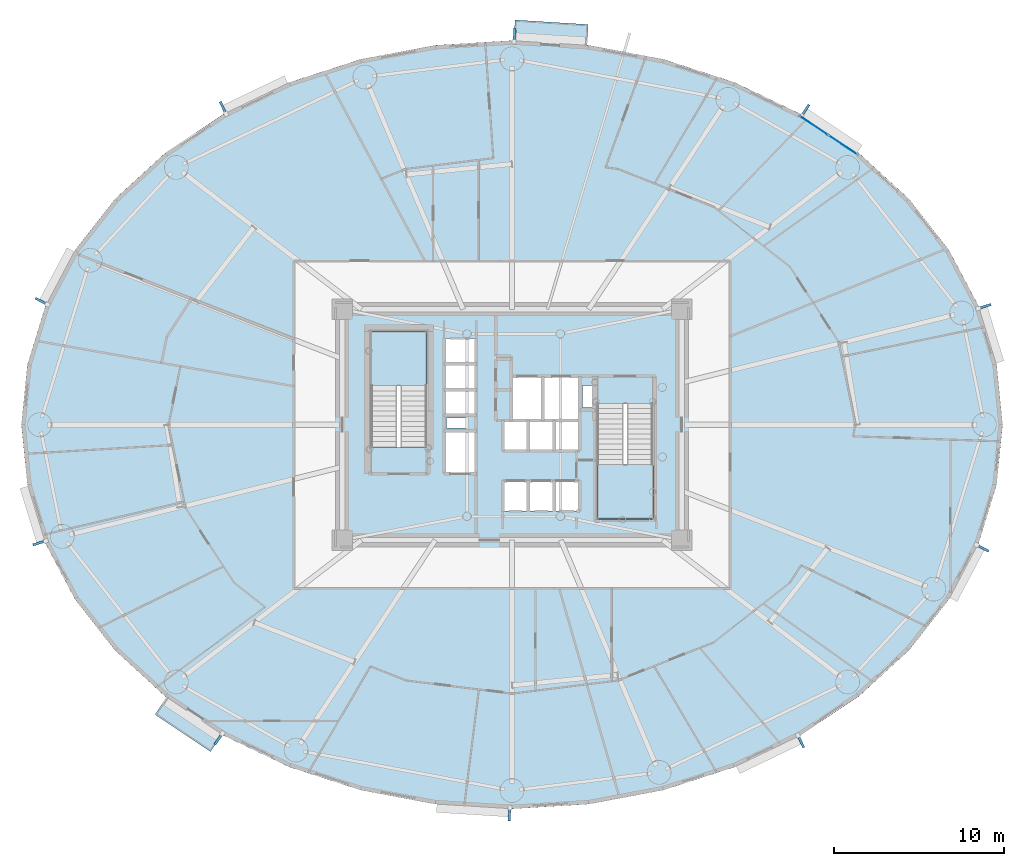
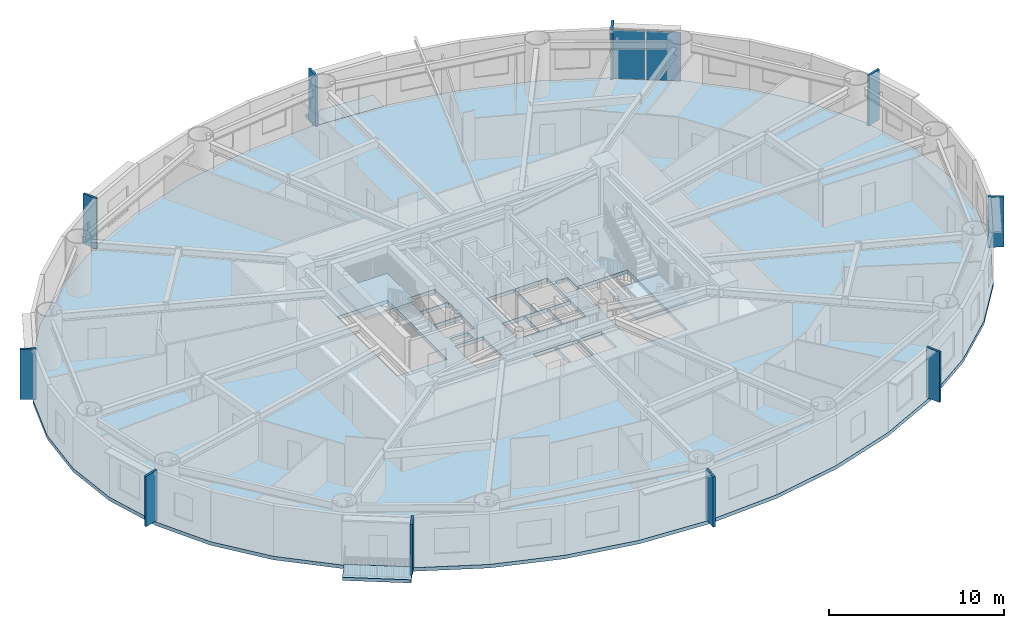
# One storey, part 8 of 22: 12 plates, 5 slabs, 3 elements without a shape of their own.
"""IFC4 building model written with IfcOpenShell, lengths in metres."""

from ifc_helpers import new_model, si_unit, direction, frame, origin, origin_2d, place, context, subcontext, project, spatial, polyline, rectangle, outline, extrude, source, transform, mapped, material, layer, layer_set, type_object, element, aggregate, save


model = new_model("IFC4")

# Units and contexts
model_context = context("Model", 3, precision=1e-05, world=origin(), true_north=direction((0.0, 1.0)))
body_context = subcontext(model_context, "Body", "Model", "MODEL_VIEW")
ifc_project = project(units=[si_unit("LENGTHUNIT", "METRE"), si_unit("AREAUNIT", "SQUARE_METRE"), si_unit("VOLUMEUNIT", "CUBIC_METRE"), si_unit("PLANEANGLEUNIT", "RADIAN"), si_unit("MASSUNIT", "GRAM", prefix="KILO")], contexts=[model_context])

# Site, building, storey
site_placement = place(None, origin())
site = spatial("IfcSite", under=ifc_project, at=site_placement, CompositionType="ELEMENT")
building_placement = place(site_placement, origin())
building = spatial("IfcBuilding", under=site, at=building_placement, Name="Linh Dai School and Residence Tower", CompositionType="ELEMENT")
storey_placement = place(building_placement, frame((0.0, 0.0, 130.949951171875)))
storey = spatial("IfcBuildingStorey", under=building, at=storey_placement, Name="L31", CompositionType="ELEMENT", Elevation=130.949951171875)

# Slabs
ifc_material_1 = material(Name="Concrete B45 (C35/45)", Category="concrete")
ifc_layer_1 = layer(ifc_material_1, 0.219970703125)
ifc_layer_set_1 = layer_set([ifc_layer_1], Name="Concrete B45 (C35/45)")
slab_type_1 = type_object("IfcSlabType", Name="SLB-BALC-220", PredefinedType="FLOOR", material=ifc_layer_set_1)
slab_1_placement = place(storey_placement, frame((0.0, 0.0, -0.219970703125)))
element("IfcSlab", 1, at=slab_1_placement, inside=storey, type_object=slab_type_1, Name="L31 Sliding Balcony Slab 10", PredefinedType="FLOOR", context=body_context, shape_type="SweptSolid", body=[
    extrude(outline(polyline([(36.1025390625, 49.543701171875), (40.408447265625, 49.2783203125), (40.488525390625, 50.575927734375), (36.1826171875, 50.84130859375), (36.1025390625, 49.543701171875)])), origin(), (0.0, 0.0, 1.0), 0.219970703125),
])
slab_2_placement = place(storey_placement, frame((0.0, 0.0, -0.219970703125)))
element("IfcSlab", 2, at=slab_2_placement, inside=storey, type_object=slab_type_1, Name="L31 Sliding Balcony Slab 26", PredefinedType="FLOOR", context=body_context, shape_type="SweptSolid", body=[
    extrude(outline(polyline([(18.966796875, 8.81884765625), (15.69970703125, 11.003662109375), (14.97705078125, 9.923095703125), (18.243896484375, 7.73828125), (18.966796875, 8.81884765625)])), origin(), (0.0, 0.0, 1.0), 0.219970703125),
])
ifc_layer_2 = layer(ifc_material_1, 0.25)
ifc_layer_set_2 = layer_set([ifc_layer_2], Name="Concrete B45 (C35/45)")
slab_type_2 = type_object("IfcSlabType", Name="SLB-FLR250", PredefinedType="FLOOR", material=ifc_layer_set_2)
slab_3_placement = place(storey_placement, frame((0.0, 0.0, -0.25)))
element("IfcSlab", 3, at=slab_3_placement, inside=storey, type_object=slab_type_2, Name="L31 Composite Structural Floor Slab", PredefinedType="FLOOR", context=body_context, shape_type="SweptSolid", body=[
    extrude(outline(polyline([(64.89990234375, 27.0), (64.544189453125, 30.5400390625), (63.485595703125, 33.9931640625), (61.75, 37.27392578125), (59.380615234375, 40.301513671875), (56.435302734375, 43.001708984375), (52.987060546875, 45.30810546875), (49.120361328125, 47.16357421875), (44.9306640625, 48.5224609375), (40.52099609375, 49.351318359375), (36.0, 49.6298828125), (31.47900390625, 49.351318359375), (27.0693359375, 48.5224609375), (22.879638671875, 47.16357421875), (19.012939453125, 45.30810546875), (15.564697265625, 43.001708984375), (12.619384765625, 40.301513671875), (10.25, 37.27392578125), (8.514404296875, 33.9931640625), (7.455810546875, 30.5400390625), (7.10009765625, 27.0), (7.455810546875, 23.4599609375), (8.514404296875, 20.0068359375), (10.25, 16.72607421875), (12.619384765625, 13.698486328125), (15.564697265625, 10.998291015625), (19.012939453125, 8.69189453125), (22.879638671875, 6.83642578125), (27.0693359375, 5.4775390625), (31.47900390625, 4.648681640625), (36.0, 4.3701171875), (40.52099609375, 4.648681640625), (44.9306640625, 5.4775390625), (49.120361328125, 6.83642578125), (52.987060546875, 8.69189453125), (56.435302734375, 10.998291015625), (59.380615234375, 13.698486328125), (61.75, 16.72607421875), (63.485595703125, 20.0068359375), (64.544189453125, 23.4599609375), (64.89990234375, 27.0)]), holes=[polyline([(30.97998046875, 25.699951171875), (30.97998046875, 32.5), (27.679931640625, 32.5), (27.679931640625, 25.699951171875), (30.97998046875, 25.699951171875)]), polyline([(41.02001953125, 28.25), (41.02001953125, 21.449951171875), (44.320068359375, 21.449951171875), (44.320068359375, 28.25), (41.02001953125, 28.25)]), polyline([(35.97998046875, 27.280029296875), (37.77001953125, 27.280029296875), (37.77001953125, 29.820068359375), (35.97998046875, 29.820068359375), (35.97998046875, 27.280029296875)]), polyline([(32.030029296875, 24.1298828125), (33.8701171875, 24.1298828125), (33.8701171875, 26.6201171875), (32.030029296875, 26.6201171875), (32.030029296875, 24.1298828125)]), polyline([(37.830078125, 27.280029296875), (39.969970703125, 27.280029296875), (39.969970703125, 29.820068359375), (37.830078125, 29.820068359375), (37.830078125, 27.280029296875)]), polyline([(35.47998046875, 21.929931640625), (36.929931640625, 21.929931640625), (36.929931640625, 23.669921875), (35.47998046875, 23.669921875), (35.47998046875, 21.929931640625)]), polyline([(36.989990234375, 21.929931640625), (38.449951171875, 21.929931640625), (38.449951171875, 23.669921875), (36.989990234375, 23.669921875), (36.989990234375, 21.929931640625)]), polyline([(38.510009765625, 21.929931640625), (39.969970703125, 21.929931640625), (39.969970703125, 23.669921875), (38.510009765625, 23.669921875), (38.510009765625, 21.929931640625)]), polyline([(32.030029296875, 27.580078125), (33.8701171875, 27.580078125), (33.8701171875, 29.030029296875), (32.030029296875, 29.030029296875), (32.030029296875, 27.580078125)]), polyline([(32.030029296875, 29.090087890625), (33.8701171875, 29.090087890625), (33.8701171875, 30.550048828125), (32.030029296875, 30.550048828125), (32.030029296875, 29.090087890625)]), polyline([(32.030029296875, 30.610107421875), (33.8701171875, 30.610107421875), (33.8701171875, 32.070068359375), (32.030029296875, 32.070068359375), (32.030029296875, 30.610107421875)]), polyline([(35.47998046875, 25.47998046875), (36.929931640625, 25.47998046875), (36.929931640625, 27.219970703125), (35.47998046875, 27.219970703125), (35.47998046875, 25.47998046875)]), polyline([(36.989990234375, 25.47998046875), (38.449951171875, 25.47998046875), (38.449951171875, 27.219970703125), (36.989990234375, 27.219970703125), (36.989990234375, 25.47998046875)]), polyline([(38.510009765625, 25.47998046875), (39.969970703125, 25.47998046875), (39.969970703125, 27.219970703125), (38.510009765625, 27.219970703125), (38.510009765625, 25.47998046875)]), polyline([(40.14990234375, 28.0), (40.14990234375, 29.300048828125), (41.0, 29.300048828125), (41.0, 28.280029296875), (40.989990234375, 28.280029296875), (40.989990234375, 28.0), (40.14990234375, 28.0)]), polyline([(32.14990234375, 26.800048828125), (33.35009765625, 26.800048828125), (33.35009765625, 27.39990234375), (32.14990234375, 27.39990234375), (32.14990234375, 26.800048828125)])]), origin(), (0.0, 0.0, 1.0), 0.25),
])

# Stair, slab
stair_type = type_object("IfcStairType", Name="ST-DOG-1550-R1442", PredefinedType="HALF_TURN_STAIR", material=ifc_material_1)
stair_1_placement = place(storey_placement, origin())
stair_1 = element("IfcStair", 4, at=stair_1_placement, inside=storey, type_object=stair_type, Name="L31 Core Smokeproof Exit Stair ST1", PredefinedType="HALF_TURN_STAIR")
ifc_layer_3 = layer(ifc_material_1, 0.199951171875)
ifc_layer_set_3 = layer_set([ifc_layer_3], Name="Concrete B45 (C35/45)")
slab_type_3 = type_object("IfcSlabType", Name="SLB-ST-LANDING-200", PredefinedType="LANDING", material=ifc_layer_set_3)
slab_4_placement = place(storey_placement, frame((0.0, 0.0, 1.675048828125)))
slab_4 = element("IfcSlab", 5, at=slab_4_placement, type_object=slab_type_3, Name="ST1 landing 1", PredefinedType="LANDING", context=body_context, shape_type="SweptSolid", body=[
    extrude(outline(polyline([(30.97998046875, 29.300048828125), (30.97998046875, 32.5), (27.679931640625, 32.5), (27.679931640625, 29.300048828125), (30.97998046875, 29.300048828125)])), origin(), (0.0, 0.0, 1.0), 0.199951171875),
])
aggregate(stair_1, [slab_4])

stair_2_placement = place(storey_placement, origin())
stair_2 = element("IfcStair", 6, at=stair_2_placement, inside=storey, type_object=stair_type, Name="L31 Core Smokeproof Exit Stair ST2", PredefinedType="HALF_TURN_STAIR")
slab_5_placement = place(storey_placement, frame((0.0, 0.0, 1.675048828125)))
slab_5 = element("IfcSlab", 7, at=slab_5_placement, type_object=slab_type_3, Name="ST2 landing 1", PredefinedType="LANDING", context=body_context, shape_type="SweptSolid", body=[
    extrude(outline(polyline([(41.02001953125, 24.64990234375), (41.02001953125, 21.449951171875), (44.320068359375, 21.449951171875), (44.320068359375, 24.64990234375), (41.02001953125, 24.64990234375)])), origin(), (0.0, 0.0, 1.0), 0.199951171875),
])
aggregate(stair_2, [slab_5])

# Plates
ifc_material_2 = material(Name="Precast Concrete B45 (C35/45)", Category="concrete")
ifc_layer_4 = layer(ifc_material_2, 0.139892578125)
ifc_layer_set_4 = layer_set([ifc_layer_4], Name="Precast Concrete B45 (C35/45)")
plate_type_1 = type_object("IfcPlateType", Name="FIN-TC-900x140", PredefinedType="USERDEFINED", material=ifc_layer_set_4)
shared_shape_1 = source(origin(), body_context, "Body", "SweptSolid", [
    extrude(rectangle(XDim=0.89990234375, YDim=0.139892578125, at=origin_2d()), origin(), (0.0, 0.0, 1.0), 3.5),
])
for number, where, z_axis, x_axis, name in (
    (8, (63.79736328125, 33.95068359375, 0.0), (0.0, 0.0, 1.0), (0.956071511028, 0.293133528962, 0.0), "L31 Precast Terracotta Radial Fin 02"),
    (9, (53.2529296875, 45.473388671875, 0.0), (0.0, 0.0, 1.0), (0.555913198527, 0.831240347736, 0.0), "L31 Precast Terracotta Radial Fin 06"),
    (10, (36.14501953125, 49.90673828125, 0.0), (0.0, 0.0, 1.0), (0.061509255091, 0.998106513123, 0.0), "L31 Precast Terracotta Radial Fin 10"),
    (11, (19.005615234375, 45.620849609375, 0.0), (0.0, 0.0, 1.0), (-0.432617589064, 0.901577518371, 0.0), "L31 Precast Terracotta Radial Fin 14"),
    (12, (8.32373046875, 34.242919921875, 0.0), (0.0, 0.0, 1.0), (-0.883942180016, 0.467596217252, 0.0), "L31 Precast Terracotta Radial Fin 18"),
    (13, (8.20263671875, 20.04931640625, 0.0), (0.0, 0.0, 1.0), (-0.956071511028, -0.293133528962, 0.0), "L31 Precast Terracotta Radial Fin 22"),
    (14, (18.7470703125, 8.526611328125, 0.0), (0.0, 0.0, 1.0), (-0.555913198527, -0.831240347736, 0.0), "L31 Precast Terracotta Radial Fin 26"),
    (15, (35.85498046875, 4.09326171875, 0.0), (0.0, 0.0, 1.0), (-0.061509255091, -0.998106513123, 0.0), "L31 Precast Terracotta Radial Fin 30"),
    (16, (52.994384765625, 8.379150390625, 0.0), (0.0, 0.0, 1.0), (0.432617589064, -0.901577518371, 0.0), "L31 Precast Terracotta Radial Fin 34"),
    (17, (63.67626953125, 19.757080078125, 0.0), (0.0, 0.0, 1.0), (0.883942180016, -0.467596217252, 0.0), "L31 Precast Terracotta Radial Fin 38"),
):
    element("IfcPlate", number, at=place(storey_placement, frame(where, z_axis=z_axis, x_axis=x_axis)), inside=storey, type_object=plate_type_1, Name=name, ObjectType="RADIAL FIN", PredefinedType="USERDEFINED", context=body_context, shape_type="MappedRepresentation", body=[
        mapped(shared_shape_1, transform((0.0, 0.0, 0.0), x_axis=(1.0, 0.0, 0.0), y_axis=(0.0, 1.0, 0.0), z_axis=(0.0, 0.0, 1.0), scale=1.0)),
    ])

# Curtain wall, plates
ifc_material_3 = material(Name="Aluminium Anodised Curtain Wall", Category="aluminium")
ifc_layer_5 = layer(ifc_material_3, 0.14990234375)
ifc_layer_set_5 = layer_set([ifc_layer_5], Name="Aluminium Anodised Curtain Wall")
curtain_wall_type = type_object("IfcCurtainWallType", Name="CW-SYS-4", PredefinedType="USERDEFINED", material=ifc_layer_set_5)
curtain_wall_placement = place(storey_placement, origin())
curtain_wall = element("IfcCurtainWall", 18, at=curtain_wall_placement, inside=storey, type_object=curtain_wall_type, Name="L31 CW4 Curtain Wall 06", ObjectType="RIBBON CURTAIN WALL", PredefinedType="USERDEFINED")
ifc_material_4 = material(Name="Double Low-E Insulated Glazing", Category="glass")
ifc_layer_6 = layer(ifc_material_4, 0.02587890625)
ifc_layer_set_6 = layer_set([ifc_layer_6], Name="Double Low-E Insulated Glazing")
plate_type_2 = type_object("IfcPlateType", Name="CW-SYS-4-PAN", PredefinedType="CURTAIN_PANEL", material=ifc_layer_set_6)
shared_shape_2 = source(origin(), body_context, "Body", "SweptSolid", [
    extrude(rectangle(XDim=1.987060546875, YDim=0.02587890625, at=origin_2d()), origin(), (0.0, 0.0, 1.0), 3.39599609375),
])
plate_1_placement = place(storey_placement, frame((53.794189453125, 44.6181640625, 0.052001953125), z_axis=(0.0, 0.0, 1.0), x_axis=(0.831240347736, -0.555913198527, 0.0)))
plate_1 = element("IfcPlate", 19, at=plate_1_placement, type_object=plate_type_2, Name="CW4 panel 1.1", PredefinedType="CURTAIN_PANEL", context=body_context, shape_type="MappedRepresentation", body=[
    mapped(shared_shape_2, transform((0.0, 0.0, 0.0), x_axis=(1.0, 0.0, 0.0), y_axis=(0.0, 1.0, 0.0), z_axis=(0.0, 0.0, 1.0), scale=1.0)),
])
plate_2_placement = place(storey_placement, frame((55.4892578125, 43.484619140625, 0.052001953125), z_axis=(0.0, 0.0, 1.0), x_axis=(0.831240347736, -0.555913198527, 0.0)))
plate_2 = element("IfcPlate", 20, at=plate_2_placement, type_object=plate_type_2, Name="CW4 panel 2.1", PredefinedType="CURTAIN_PANEL", context=body_context, shape_type="MappedRepresentation", body=[
    mapped(shared_shape_2, transform((0.0, 0.0, 0.0), x_axis=(1.0, 0.0, 0.0), y_axis=(0.0, 1.0, 0.0), z_axis=(0.0, 0.0, 1.0), scale=1.0)),
])
aggregate(curtain_wall, [plate_1, plate_2])

save(model, "model.ifc")
